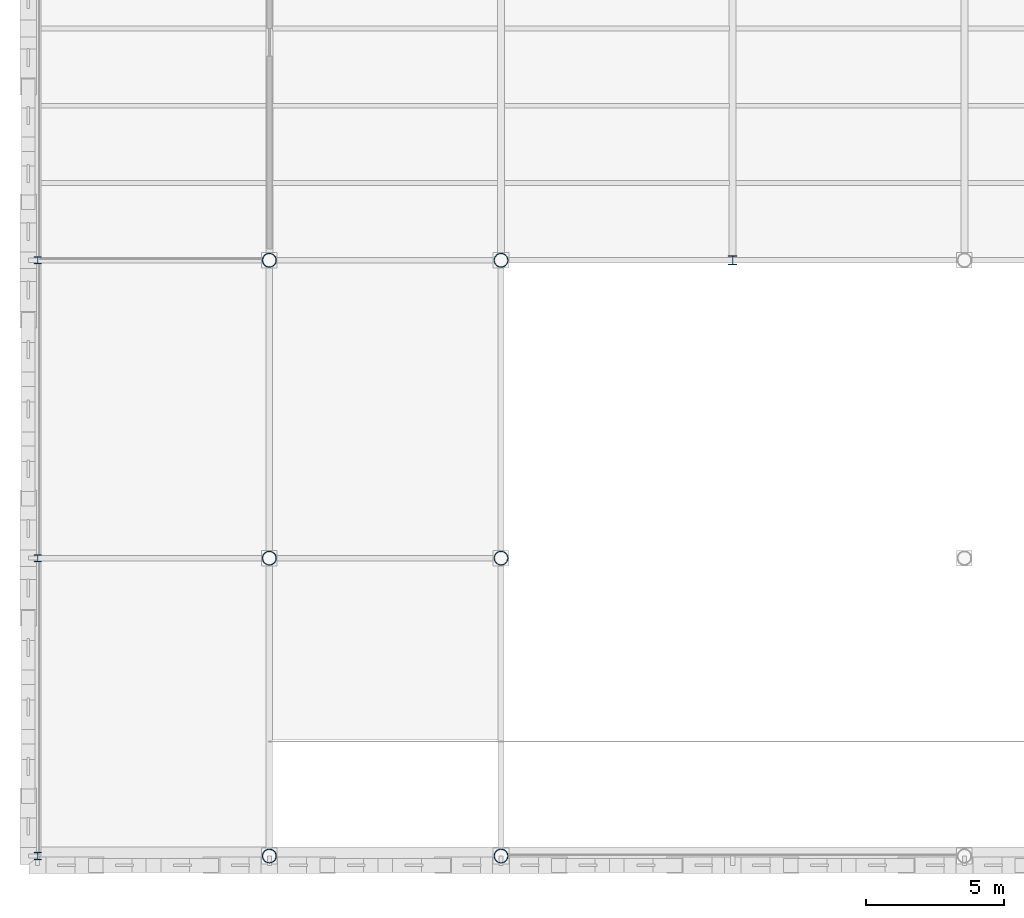
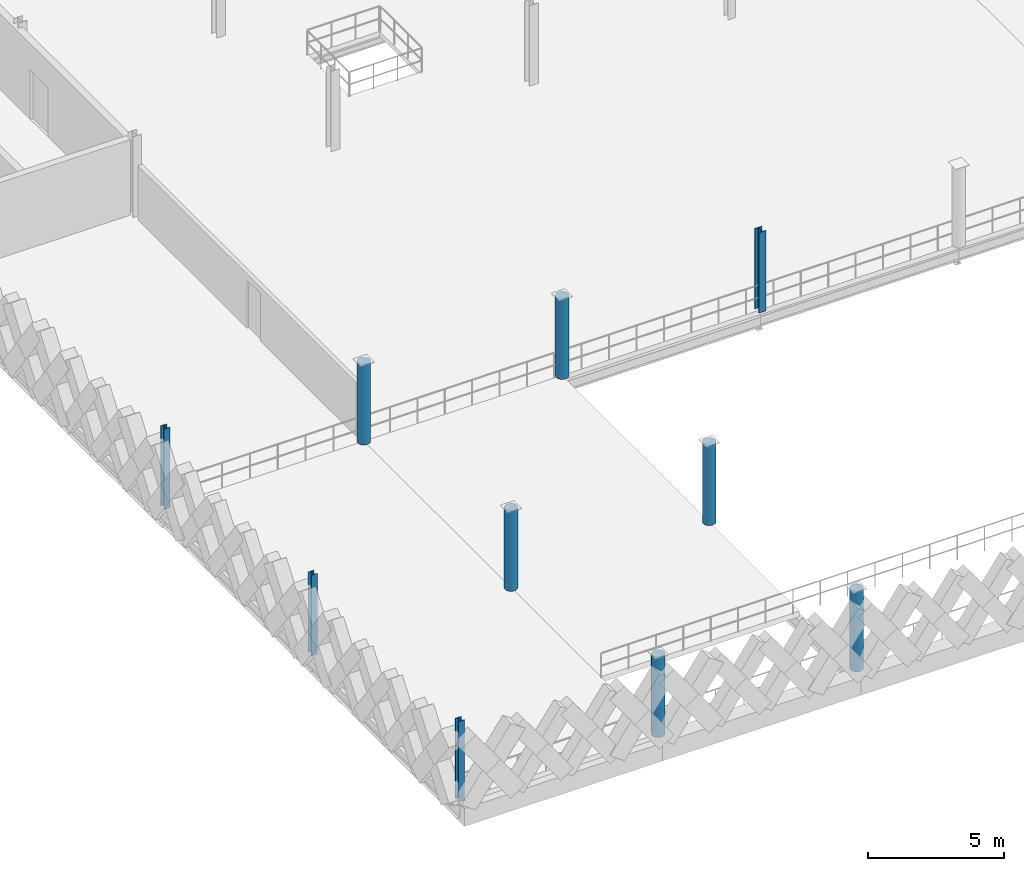
# One storey, part 1 of 47: 10 columns.
"""IFC4 building model written with IfcOpenShell, lengths in metres."""

import ifcopenshell
import ifcopenshell.guid

model = None  # the IFC model being written
_history = None  # IfcOwnerHistory: only IFC2X3 demands one
_inside = {}  # id of a spatial element -> (the spatial element, [elements in it])
_under = {}  # id of a project, library or spatial element -> (it, [spatial elements below it])
_declared = {}  # id of a project -> (the project, [libraries it declares])
_typed = {}  # id of a type object -> (the type object, [elements of that type])
_made_of = {}  # id of a material, layer set ... -> (it, [elements and type objects made of it])


def new_model(schema):
    """Start an empty IFC model of exactly this schema.

    Asked for "IFC4X3", IfcOpenShell would pick the latest addendum, in which some entities
    have other attributes; the version numbers below select the first issue.
    IFC2X3 requires an IfcOwnerHistory on every rooted entity: one is made here for all.
    """
    global model, _history
    if schema == "IFC4X3":
        model = ifcopenshell.file(schema_version=(4, 3, 0, 0))
    else:
        model = ifcopenshell.file(schema=schema)
    _inside.clear()
    _under.clear()
    _declared.clear()
    _typed.clear()
    _made_of.clear()
    _history = None
    if model.schema == "IFC2X3":
        org = make("IfcOrganization", Name="unknown")
        user = make(
            "IfcPersonAndOrganization",
            ThePerson=make("IfcPerson", FamilyName="unknown"),
            TheOrganization=org,
        )
        app = make(
            "IfcApplication",
            ApplicationDeveloper=org,
            Version="unknown",
            ApplicationFullName="unknown",
            ApplicationIdentifier="unknown",
        )
        _history = make(
            "IfcOwnerHistory",
            OwningUser=user,
            OwningApplication=app,
            ChangeAction="ADDED",
            CreationDate=0,
        )
    return model


def make(cls, **values):
    """One entity of the class cls with the attributes given. An attribute that is None is left unset."""
    return model.create_entity(
        cls, **{name: value for name, value in values.items() if value is not None}
    )


def rooted(cls, **values):
    """An entity with a GlobalId (a new one), such as an element, a storey or a relation."""
    return make(cls, GlobalId=ifcopenshell.guid.new(), OwnerHistory=_history, **values)


def si_unit(unit_type, name, prefix=None):
    """IfcSIUnit, for example si_unit("LENGTHUNIT", "METRE", prefix="MILLI")."""
    return make("IfcSIUnit", UnitType=unit_type, Prefix=prefix, Name=name)


def assignment(units):
    """IfcUnitAssignment: the units of a project."""
    return None if units is None else make("IfcUnitAssignment", Units=units)


def point(xyz):
    """IfcCartesianPoint."""
    return None if xyz is None else make("IfcCartesianPoint", Coordinates=xyz)


def direction(xyz):
    """IfcDirection."""
    return None if xyz is None else make("IfcDirection", DirectionRatios=xyz)


def frame(location, z_axis=None, x_axis=None):
    """IfcAxis2Placement3D, a coordinate frame: its origin and axes. An axis left out is left unset."""
    return make(
        "IfcAxis2Placement3D",
        Location=point(location),
        Axis=direction(z_axis),
        RefDirection=direction(x_axis),
    )


def frame_2d(location, x_axis=None):
    """IfcAxis2Placement2D, a coordinate frame in the plane: its origin and x axis."""
    return make(
        "IfcAxis2Placement2D", Location=point(location), RefDirection=direction(x_axis)
    )


def origin():
    """The frame at (0, 0, 0) with its axes left unset."""
    return frame((0.0, 0.0, 0.0))


def origin_2d():
    """The frame at (0, 0) in the plane with its x axis left unset."""
    return frame_2d((0.0, 0.0))


def place(relative_to, where):
    """IfcLocalPlacement: puts the frame where relative to a parent placement (None: the world)."""
    return make(
        "IfcLocalPlacement", PlacementRelTo=relative_to, RelativePlacement=where
    )


def context(
    kind, dimensions, precision=None, world=None, true_north=None, identifier=None
):
    """IfcGeometricRepresentationContext, for example the 3D "Model" context."""
    return make(
        "IfcGeometricRepresentationContext",
        ContextIdentifier=identifier,
        ContextType=kind,
        CoordinateSpaceDimension=dimensions,
        Precision=precision,
        WorldCoordinateSystem=world,
        TrueNorth=true_north,
    )


def subcontext(parent, identifier, kind, view, scale=None):
    """IfcGeometricRepresentationSubContext, for example "Body" below "Model"."""
    return make(
        "IfcGeometricRepresentationSubContext",
        ContextIdentifier=identifier,
        ContextType=kind,
        ParentContext=parent,
        TargetScale=scale,
        TargetView=view,
    )


def project(units=None, contexts=None):
    """IfcProject with its units and contexts."""
    return rooted(
        "IfcProject",
        Name="project",
        RepresentationContexts=contexts,
        UnitsInContext=assignment(units),
    )


def spatial(cls, under=None, at=None, **own):
    """A site, building, storey or space (cls), placed at a placement, below another one or the project."""
    s = rooted(cls, ObjectPlacement=at, **own)
    if under is not None:
        _under.setdefault(under.id(), (under, []))[1].append(s)
    return s


def profile(cls, at=None, kind="AREA", **sizes):
    """A parametric profile (cls). Its sizes go by their IFC names, for example OverallWidth=200.0."""
    return make(cls, ProfileType=kind, Position=at, **sizes)


def hollow_circle(**sizes):
    """IfcCircleHollowProfileDef."""
    return profile("IfcCircleHollowProfileDef", **sizes)


def i_section(**sizes):
    """IfcIShapeProfileDef."""
    return profile("IfcIShapeProfileDef", **sizes)


def extrude(swept, where, along, depth):
    """IfcExtrudedAreaSolid: the profile swept, set in the frame where, extruded along a direction by depth."""
    return make(
        "IfcExtrudedAreaSolid",
        SweptArea=swept,
        Position=where,
        ExtrudedDirection=direction(along),
        Depth=depth,
    )


def shape(context_of_items, identifier, shape_type, items):
    """IfcShapeRepresentation: the items that make up one representation, for example the "Body"."""
    return make(
        "IfcShapeRepresentation",
        ContextOfItems=context_of_items,
        RepresentationIdentifier=identifier,
        RepresentationType=shape_type,
        Items=items,
    )


def material(Name=None, Category=None):
    """IfcMaterial."""
    return make("IfcMaterial", Name=Name, Category=Category)


def material_profile(
    of_material, cross_section, Name=None, Category=None, Priority=None
):
    """IfcMaterialProfile: a cross section and its material."""
    return make(
        "IfcMaterialProfile",
        Name=Name,
        Material=of_material,
        Profile=cross_section,
        Priority=Priority,
        Category=Category,
    )


def profile_set(profiles, Name=None, composite=None):
    """IfcMaterialProfileSet."""
    return make(
        "IfcMaterialProfileSet",
        Name=Name,
        MaterialProfiles=profiles,
        CompositeProfile=composite,
    )


def made_of(thing, what):
    """Note that an element or type object is made of a material, layer set ...; save() writes the relation."""
    if what is not None:
        _made_of.setdefault(what.id(), (what, []))[1].append(thing)
    return thing


def type_object(cls, material=None, **own):
    """A type object (cls), such as IfcWallType, which elements share."""
    return made_of(rooted(cls, **own), material)


def element(
    cls,
    number,
    at=None,
    inside=None,
    cuts=None,
    type_object=None,
    material=None,
    context=None,
    identifier="Body",
    shape_type=None,
    held_by="IfcProductDefinitionShape",
    body=None,
    shapes=None,
    **own,
):
    """One element of the class cls, such as IfcWall. Its Tag is "e" and its number.

    at: its placement. inside: the storey or other place that contains it. cuts: it is an
    opening in that element (IfcRelVoidsElement). A single representation is given by context,
    identifier, shape_type and body (its items); several are given by shapes. held_by: the class
    of the entity that holds the representations. save() writes the other relations.
    """
    e = rooted(cls, Tag="e%d" % number, ObjectPlacement=at, **own)
    if body is not None:
        shapes = [shape(context, identifier, shape_type, body)]
    if shapes is not None:
        e.Representation = make(held_by, Representations=shapes)
    if inside is not None:
        _inside.setdefault(inside.id(), (inside, []))[1].append(e)
    if cuts is not None:
        rooted(
            "IfcRelVoidsElement", RelatingBuildingElement=cuts, RelatedOpeningElement=e
        )
    if type_object is not None:
        _typed.setdefault(type_object.id(), (type_object, []))[1].append(e)
    return made_of(e, material)


def aggregate(whole, parts):
    """IfcRelAggregates: a whole, such as a stair, and the parts it consists of."""
    return rooted("IfcRelAggregates", RelatingObject=whole, RelatedObjects=parts)


def save(model, path):
    """Write the relations noted so far, then the file.

    IfcRelAggregates (storeys below a building ...), IfcRelContainedInSpatialStructure (elements
    in a storey), IfcRelDefinesByType, IfcRelAssociatesMaterial and IfcRelDeclares: one each for
    every whole, place, type object, material and project.
    """
    for whole, parts in _under.values():
        aggregate(whole, parts)
    for where, things in _inside.values():
        rooted(
            "IfcRelContainedInSpatialStructure",
            RelatedElements=things,
            RelatingStructure=where,
        )
    for kind, things in _typed.values():
        rooted("IfcRelDefinesByType", RelatedObjects=things, RelatingType=kind)
    for what, things in _made_of.values():
        rooted("IfcRelAssociatesMaterial", RelatedObjects=things, RelatingMaterial=what)
    for by, libraries in _declared.values():
        rooted("IfcRelDeclares", RelatingContext=by, RelatedDefinitions=libraries)
    model.write(path)


model = new_model("IFC4")

# Units and contexts
model_context = context("Model", 3, precision=1e-05, world=origin(), true_north=direction((0.0, 1.0)))
body_context = subcontext(model_context, "Body", "Model", "MODEL_VIEW")
ifc_project = project(units=[si_unit("LENGTHUNIT", "METRE"), si_unit("AREAUNIT", "SQUARE_METRE"), si_unit("VOLUMEUNIT", "CUBIC_METRE"), si_unit("PLANEANGLEUNIT", "RADIAN"), si_unit("MASSUNIT", "GRAM", prefix="KILO"), si_unit("THERMODYNAMICTEMPERATUREUNIT", "KELVIN"), si_unit("POWERUNIT", "WATT")], contexts=[model_context])

# Site, building, storey
site_placement = place(None, origin())
site = spatial("IfcSite", under=ifc_project, at=site_placement, CompositionType="ELEMENT")
building_placement = place(site_placement, origin())
building = spatial("IfcBuilding", under=site, at=building_placement, Name="Tembeka Court Mobility Hub", CompositionType="ELEMENT")
storey_placement = place(building_placement, frame((0.0, 0.0, 19.800048828125)))
storey = spatial("IfcBuildingStorey", under=building, at=storey_placement, Name="L05", CompositionType="ELEMENT", Elevation=19.800048828125)

# Columns
ifc_material = material(Name="Steel S355", Category="steel")
ifc_material_profile_1 = material_profile(ifc_material, i_section(OverallWidth=0.30908203125, OverallDepth=0.321044921875, WebThickness=0.013916015625, FlangeThickness=0.021728515625, FilletRadius=0.01513671875, at=origin_2d()), Name="UKC 305x305x137")
ifc_profile_set_1 = profile_set([ifc_material_profile_1], Name="Steel S355")
column_type_1 = type_object("IfcColumnType", Name="COL-C04", PredefinedType="COLUMN", material=ifc_profile_set_1)
column_placement = place(storey_placement, frame((25.199951171875, 21.60009765625, 0.0), z_axis=(0.0, 0.0, 1.0), x_axis=(1.0, 0.0, 0.0)))
element("IfcColumn", 1, at=column_placement, inside=storey, type_object=column_type_1, Name="Column C04 (L05-038)", PredefinedType="COLUMN", context=body_context, shape_type="SweptSolid", body=[
    extrude(i_section(OverallWidth=0.30908203125, OverallDepth=0.321044921875, WebThickness=0.013916015625, FlangeThickness=0.021728515625, FilletRadius=0.01513671875, at=origin_2d()), origin(), (0.0, 0.0, 1.0), 3.599853515625),
])
ifc_material_profile_2 = material_profile(ifc_material, i_section(OverallWidth=0.256103515625, OverallDepth=0.260009765625, WebThickness=0.01025390625, FlangeThickness=0.017333984375, FilletRadius=0.0126953125, at=origin_2d()), Name="UKC 254x254x89")
ifc_profile_set_2 = profile_set([ifc_material_profile_2], Name="Steel S355")
column_type_2 = type_object("IfcColumnType", Name="COL-C05", PredefinedType="COLUMN", material=ifc_profile_set_2)
for number, where, z_axis, x_axis, name in (
    (2, (0.0, 0.0, 0.0), (0.0, 0.0, 1.0), (1.0, 0.0, 0.0), "Column C05 (L05-001)"),
    (3, (0.0, 10.800048828125, 0.0), (0.0, 0.0, 1.0), (1.0, 0.0, 0.0), "Column C05 (L05-002)"),
    (4, (0.0, 21.60009765625, 0.0), (0.0, 0.0, 1.0), (1.0, 0.0, 0.0), "Column C05 (L05-003)"),
):
    element("IfcColumn", number, at=place(storey_placement, frame(where, z_axis=z_axis, x_axis=x_axis)), inside=storey, type_object=column_type_2, Name=name, PredefinedType="COLUMN", context=body_context, shape_type="SweptSolid", body=[
        extrude(i_section(OverallWidth=0.256103515625, OverallDepth=0.260009765625, WebThickness=0.01025390625, FlangeThickness=0.017333984375, FilletRadius=0.0126953125, at=origin_2d()), origin(), (0.0, 0.0, 1.0), 3.599853515625),
    ])
ifc_material_profile_3 = material_profile(ifc_material, hollow_circle(Radius=0.25390625, WallThickness=0.01611328125, at=origin_2d()), Name="CHS 508x16")
ifc_profile_set_3 = profile_set([ifc_material_profile_3], Name="Steel S355")
column_type_3 = type_object("IfcColumnType", Name="COL-C08", PredefinedType="COLUMN", material=ifc_profile_set_3)
for number, where, z_axis, x_axis, name in (
    (5, (8.39990234375, 0.0, 0.0), (0.0, 0.0, 1.0), (1.0, 0.0, 0.0), "Column C08 (L05-013)"),
    (6, (8.39990234375, 10.800048828125, 0.0), (0.0, 0.0, 1.0), (1.0, 0.0, 0.0), "Column C08 (L05-014)"),
    (7, (8.39990234375, 21.60009765625, 0.0), (0.0, 0.0, 1.0), (1.0, 0.0, 0.0), "Column C08 (L05-015)"),
    (8, (16.800048828125, 0.0, 0.0), (0.0, 0.0, 1.0), (1.0, 0.0, 0.0), "Column C08 (L05-025)"),
    (9, (16.800048828125, 10.800048828125, 0.0), (0.0, 0.0, 1.0), (1.0, 0.0, 0.0), "Column C08 (L05-026)"),
    (10, (16.800048828125, 21.60009765625, 0.0), (0.0, 0.0, 1.0), (1.0, 0.0, 0.0), "Column C08 (L05-027)"),
):
    element("IfcColumn", number, at=place(storey_placement, frame(where, z_axis=z_axis, x_axis=x_axis)), inside=storey, type_object=column_type_3, Name=name, PredefinedType="COLUMN", context=body_context, shape_type="SweptSolid", body=[
        extrude(hollow_circle(Radius=0.25390625, WallThickness=0.01611328125, at=origin_2d()), origin(), (0.0, 0.0, 1.0), 3.599853515625),
    ])

save(model, "model.ifc")
